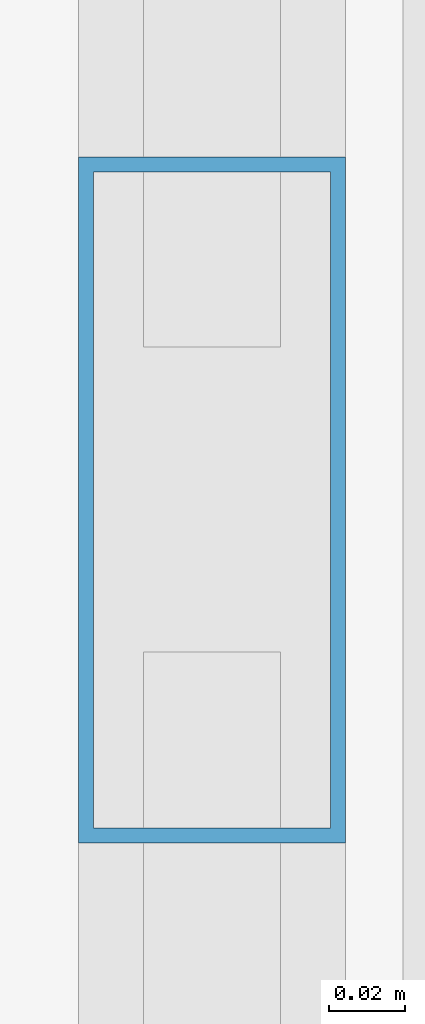
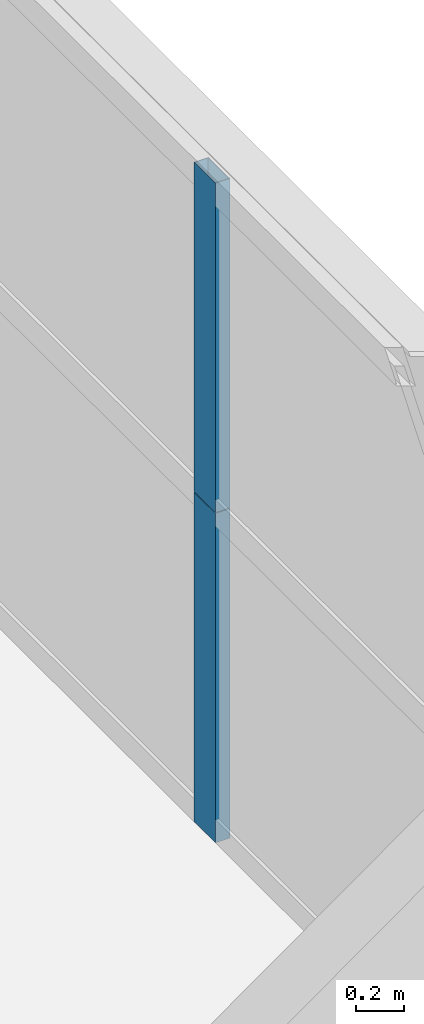
# One storey, part 32 of 43: 2 members, 1 element without a shape of its own.
"""IFC4 building model written with IfcOpenShell, lengths in metres."""

from ifc_helpers import new_model, si_unit, direction, frame, origin, origin_2d, place, context, subcontext, project, spatial, hollow_rectangle, extrude, source, transform, mapped, material, layer, layer_set, material_profile, profile_set, type_object, element, aggregate, save


model = new_model("IFC4")

# Units and contexts
model_context = context("Model", 3, precision=1e-05, world=origin(), true_north=direction((0.0, 1.0)))
body_context = subcontext(model_context, "Body", "Model", "MODEL_VIEW")
ifc_project = project(units=[si_unit("LENGTHUNIT", "METRE"), si_unit("AREAUNIT", "SQUARE_METRE"), si_unit("VOLUMEUNIT", "CUBIC_METRE"), si_unit("PLANEANGLEUNIT", "RADIAN"), si_unit("MASSUNIT", "GRAM", prefix="KILO"), si_unit("THERMODYNAMICTEMPERATUREUNIT", "KELVIN"), si_unit("POWERUNIT", "WATT")], contexts=[model_context])

# Site, building, storey
site_placement = place(None, origin())
site = spatial("IfcSite", under=ifc_project, at=site_placement, CompositionType="ELEMENT")
building_placement = place(site_placement, origin())
building = spatial("IfcBuilding", under=site, at=building_placement, Name="Yuzanri Waterfront Tower", CompositionType="ELEMENT")
storey_placement = place(building_placement, frame((0.0, 0.0, 60.39990234375)))
storey = spatial("IfcBuildingStorey", under=building, at=storey_placement, Name="L15", CompositionType="ELEMENT", Elevation=60.39990234375)

# Curtain wall, members
ifc_material_1 = material(Name="Anodized Architectural Bronze", Category="metal")
ifc_layer = layer(ifc_material_1, 0.159912109375)
ifc_layer_set = layer_set([ifc_layer], Name="Anodized Architectural Bronze")
curtain_wall_type = type_object("IfcCurtainWallType", Name="Anodized Bronze Hotel Lower-Tier Recessed Unitized Curtain Wall 8100", PredefinedType="NOTDEFINED", material=ifc_layer_set)
curtain_wall_placement = place(storey_placement, origin())
curtain_wall = element("IfcCurtainWall", 1, at=curtain_wall_placement, inside=storey, type_object=curtain_wall_type, Name="L15 Curtain Wall CW-L15-ER", PredefinedType="NOTDEFINED")
ifc_material_2 = material(Name="Anodized Architectural Bronze", Category="metal")
ifc_material_profile = material_profile(ifc_material_2, hollow_rectangle(XDim=0.070068359375, YDim=0.179931640625, WallThickness=0.00390625, at=origin_2d()), Name="CWM 70x180")
ifc_profile_set = profile_set([ifc_material_profile], Name="Anodized Architectural Bronze")
member_type = type_object("IfcMemberType", Name="Anodized Bronze Standard Curtain-Wall Mullion 70x180", PredefinedType="MULLION", material=ifc_profile_set)
shared_shape = source(origin(), body_context, "Body", "SweptSolid", [
    extrude(hollow_rectangle(XDim=0.070068359375, YDim=0.179931640625, WallThickness=0.00390625, at=origin_2d()), origin(), (0.0, 0.0, 1.0), 1.68798828125),
])
member_1_placement = place(storey_placement, frame((61.949951171875, 34.89990234375, 0.0), z_axis=(0.0, 0.0, 1.0), x_axis=(1.0, 0.0, 0.0)))
member_1 = element("IfcMember", 2, at=member_1_placement, type_object=member_type, Name="CW-L15-ER Lower Mullion 01", PredefinedType="MULLION", context=body_context, shape_type="MappedRepresentation", body=[
    mapped(shared_shape, transform((0.0, 0.0, 0.0), scale=1.0)),
])
member_2_placement = place(storey_placement, frame((61.949951171875, 34.89990234375, 1.692138671875), z_axis=(0.0, 0.0, 1.0), x_axis=(1.0, 0.0, 0.0)))
member_2 = element("IfcMember", 3, at=member_2_placement, type_object=member_type, Name="CW-L15-ER Upper Mullion 01", PredefinedType="MULLION", context=body_context, shape_type="MappedRepresentation", body=[
    mapped(shared_shape, transform((0.0, 0.0, 0.0), scale=1.0)),
])
aggregate(curtain_wall, [member_1, member_2])

save(model, "model.ifc")
